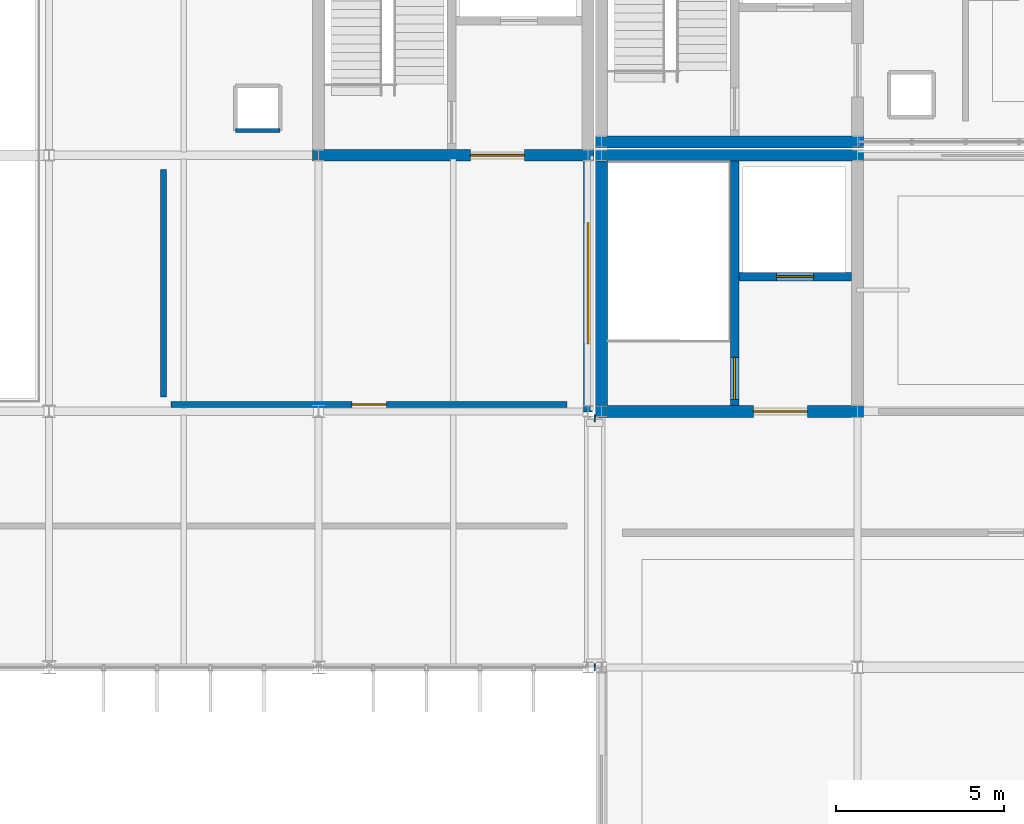
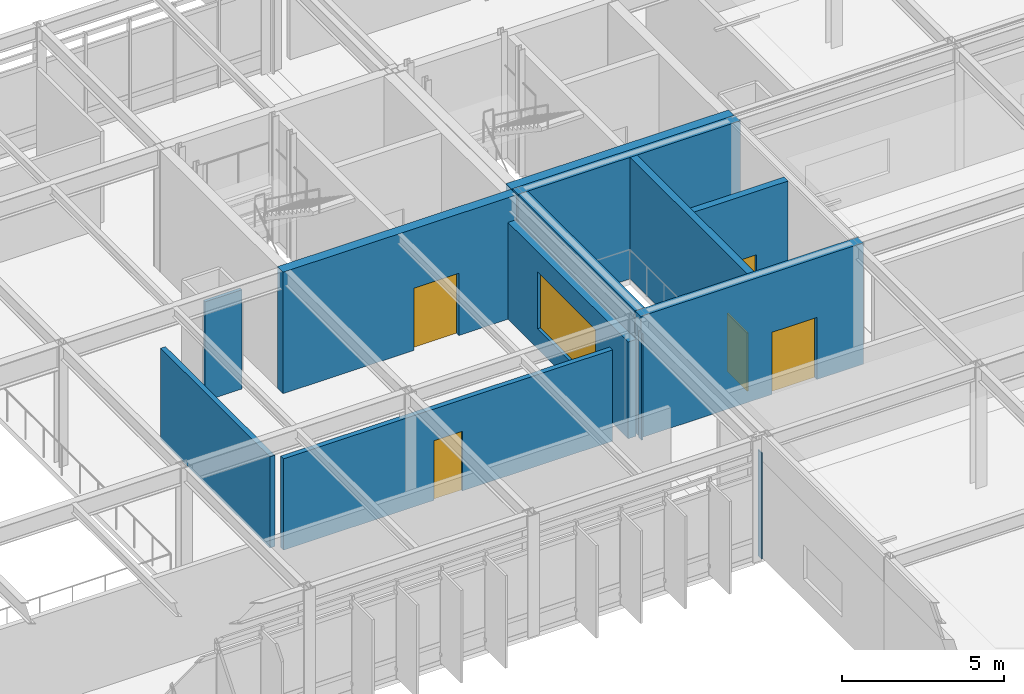
# One storey, part 84 of 104: 13 walls, 5 doors, 1 window, 6 openings.
"""IFC4 building model written with IfcOpenShell, lengths in metres."""

from ifc_helpers import new_model, si_unit, direction, frame, frame_2d, origin, place, context, subcontext, project, spatial, rectangle, extrude, material, layer, layer_set, type_object, element, fill, save


model = new_model("IFC4")

# Units and contexts
model_context = context("Model", 3, precision=1e-05, world=origin(), true_north=direction((0.0, 1.0)))
body_context = subcontext(model_context, "Body", "Model", "MODEL_VIEW")
ifc_project = project(units=[si_unit("LENGTHUNIT", "METRE"), si_unit("AREAUNIT", "SQUARE_METRE"), si_unit("VOLUMEUNIT", "CUBIC_METRE"), si_unit("PLANEANGLEUNIT", "RADIAN"), si_unit("MASSUNIT", "GRAM", prefix="KILO")], contexts=[model_context])

# Site, building, storey
site_placement = place(None, origin())
site = spatial("IfcSite", under=ifc_project, at=site_placement, CompositionType="ELEMENT")
building_placement = place(site_placement, origin())
building = spatial("IfcBuilding", under=site, at=building_placement, Name="Zulena Civic Courthouse", CompositionType="ELEMENT")
storey_placement = place(building_placement, frame((0.0, 0.0, 15.60009765625)))
storey = spatial("IfcBuildingStorey", under=building, at=storey_placement, Name="L03", CompositionType="ELEMENT", Elevation=15.60009765625)

# Walls
ifc_material_1 = material(Name="Travertine-cream architectural precast concrete C40/50", Category="masonry")
ifc_layer_1 = layer(ifc_material_1, 0.205078125)
ifc_layer_set_1 = layer_set([ifc_layer_1], Name="Travertine-cream architectural precast concrete C40/50")
wall_type_1 = type_object("IfcWallType", Name="BridgeWall_GlazedScreen_205", PredefinedType="STANDARD", material=ifc_layer_set_1)
for number, where, z_axis, x_axis, name in (
    (1, (124.219970703125, 15.199951171875, 0.0), (0.0, 0.0, 1.0), (-1.0, 0.0, 0.0), "ewall:bridge:BR-41:L03:S"),
    (2, (124.179931640625, 22.60009765625, 0.0), (0.0, 0.0, 1.0), (1.0, 0.0, 0.0), "ewall:bridge:BR-41:L03:N"),
):
    element("IfcWall", number, at=place(storey_placement, frame(where, z_axis=z_axis, x_axis=x_axis)), inside=storey, type_object=wall_type_1, Name=name, PredefinedType="STANDARD", context=body_context, shape_type="SweptSolid", body=[
        extrude(rectangle(XDim=0.0400390625, YDim=0.205078125, at=frame_2d((0.02001953125, 0.0))), origin(), (0.0, 0.0, 1.0), 4.02001953125),
    ])

# Wall, opening, door
ifc_material_2 = material(Name="Concrete C40/50", Category="concrete")
ifc_layer_2 = layer(ifc_material_2, 0.25)
ifc_layer_set_2 = layer_set([ifc_layer_2], Name="Concrete C40/50")
wall_type_2 = type_object("IfcWallType", Name="CoreShearWall_RC250", PredefinedType="SHEAR", material=ifc_layer_set_2)
wall_1_placement = place(storey_placement, frame((128.35009765625, 22.97509765625, 0.0), z_axis=(0.0, 0.0, 1.0), x_axis=(0.0, 1.0, 0.0)))
wall_1 = element("IfcWall", 3, at=wall_1_placement, inside=storey, type_object=wall_type_2, Name="cwall:K1A:L03:DIV", PredefinedType="SHEAR", context=body_context, shape_type="SweptSolid", body=[
    extrude(rectangle(XDim=7.25, YDim=0.25, at=frame_2d((3.625, 0.0))), origin(), (0.0, 0.0, 1.0), 4.58984375),
])
opening_1_placement = place(wall_1_placement, frame((0.179931640625, 0.0, 0.0)))
opening_1 = element("IfcOpeningElement", 4, at=opening_1_placement, cuts=wall_1, Name="Opening ID06", PredefinedType="OPENING", context=body_context, shape_type="SweptSolid", body=[
    extrude(rectangle(XDim=1.25, YDim=2.199951171875, at=frame_2d((0.625, 1.10009765625))), frame((0.0, 0.135009765625, 0.0), z_axis=(0.0, -1.0, 0.0), x_axis=(1.0, 0.0, 0.0)), (0.0, 0.0, 1.0), 0.27001953125),
])
ifc_material_3 = material(Name="Fire-rated galvanised steel ASTM A653 Grade 50", Category="steel")
door_type_1 = type_object("IfcDoorType", Name="IntDoor_Stair_1250x2200", OperationType="NOTDEFINED", PredefinedType="DOOR", material=ifc_material_3)
door_1_placement = place(opening_1_placement, origin())
door_1 = element("IfcDoor", 5, at=door_1_placement, inside=storey, type_object=door_type_1, Name="door:stair:K1A:L03", OperationType="SINGLE_SWING_RIGHT", OverallHeight=2.199951171875, OverallWidth=1.25, PredefinedType="DOOR", context=body_context, shape_type="SweptSolid", body=[
    extrude(rectangle(XDim=1.25, YDim=2.199951171875, at=frame_2d((0.625, 1.10009765625))), frame((0.0, 0.02490234375, 0.0), z_axis=(0.0, -1.0, 0.0), x_axis=(1.0, 0.0, 0.0)), (0.0, 0.0, 1.0), 0.050048828125),
])
fill(opening_1, door_1)

wall_2_placement = place(storey_placement, frame((128.47509765625, 26.800048828125, 0.0), z_axis=(0.0, 0.0, 1.0), x_axis=(1.0, 0.0, 0.0)))
wall_2 = element("IfcWall", 6, at=wall_2_placement, inside=storey, type_object=wall_type_2, Name="cwall:K1A:L03:SHF", PredefinedType="SHEAR", context=body_context, shape_type="SweptSolid", body=[
    extrude(rectangle(XDim=3.349853515625, YDim=0.25, at=frame_2d((1.6748046875, 0.0))), origin(), (0.0, 0.0, 1.0), 4.58984375),
])
opening_2_placement = place(wall_2_placement, frame((1.1201171875, 0.0, 0.0)))
opening_2 = element("IfcOpeningElement", 7, at=opening_2_placement, cuts=wall_2, Name="Opening LD02", PredefinedType="OPENING", context=body_context, shape_type="SweptSolid", body=[
    extrude(rectangle(XDim=1.10009765625, YDim=2.199951171875, at=frame_2d((0.550048828125, 1.10009765625))), frame((0.0, 0.135009765625, 0.0), z_axis=(0.0, -1.0, 0.0), x_axis=(1.0, 0.0, 0.0)), (0.0, 0.0, 1.0), 0.27001953125),
])
door_type_2 = type_object("IfcDoorType", Name="LiftLandingDoor_Pass_1100x2200", OperationType="SLIDING_TO_LEFT", PredefinedType="DOOR", material=ifc_material_3)
door_2_placement = place(opening_2_placement, origin())
door_2 = element("IfcDoor", 8, at=door_2_placement, inside=storey, type_object=door_type_2, Name="door:ld:PL-01:L03", OperationType="SLIDING_TO_LEFT", OverallHeight=2.199951171875, OverallWidth=1.10009765625, PredefinedType="DOOR", context=body_context, shape_type="SweptSolid", body=[
    extrude(rectangle(XDim=1.10009765625, YDim=2.199951171875, at=frame_2d((0.550048828125, 1.10009765625))), frame((0.0, 0.02490234375, 0.0), z_axis=(0.0, -1.0, 0.0), x_axis=(1.0, 0.0, 0.0)), (0.0, 0.0, 1.0), 0.050048828125),
])
fill(opening_2, door_2)

ifc_layer_3 = layer(ifc_material_2, 0.35009765625)
ifc_layer_set_3 = layer_set([ifc_layer_3], Name="Concrete C40/50")
wall_type_3 = type_object("IfcWallType", Name="CoreShearWall_RC350", PredefinedType="SHEAR", material=ifc_layer_set_3)
wall_3_placement = place(storey_placement, frame((124.22509765625, 22.800048828125, 0.0), z_axis=(0.0, 0.0, 1.0), x_axis=(1.0, 0.0, 0.0)))
wall_3 = element("IfcWall", 9, at=wall_3_placement, inside=storey, type_object=wall_type_3, Name="cwall:K1A:L03:S", PredefinedType="SHEAR", context=body_context, shape_type="SweptSolid", body=[
    extrude(rectangle(XDim=7.949951171875, YDim=0.35009765625, at=frame_2d((3.97509765625, 0.0))), origin(), (0.0, 0.0, 1.0), 4.58984375),
])
opening_3_placement = place(wall_3_placement, frame((4.68505859375, 0.0, 0.0)))
opening_3 = element("IfcOpeningElement", 10, at=opening_3_placement, cuts=wall_3, Name="Opening ID04", PredefinedType="OPENING", context=body_context, shape_type="SweptSolid", body=[
    extrude(rectangle(XDim=1.60009765625, YDim=2.35009765625, at=frame_2d((0.800048828125, 1.175048828125))), frame((0.0, 0.18505859375, 0.0), z_axis=(0.0, -1.0, 0.0), x_axis=(1.0, 0.0, 0.0)), (0.0, 0.0, 1.0), 0.3701171875),
])
ifc_material_4 = material(Name="Solid-core acoustic hardwood timber", Category="wood")
door_type_3 = type_object("IfcDoorType", Name="IntDoor_CourtPublic_1600x2350", OperationType="DOUBLE_DOOR_SINGLE_SWING", PredefinedType="DOOR", material=ifc_material_4)
door_3_placement = place(opening_3_placement, origin())
door_3 = element("IfcDoor", 11, at=door_3_placement, inside=storey, type_object=door_type_3, Name="door:corelob:K1A:L03", OperationType="DOUBLE_DOOR_SINGLE_SWING", OverallHeight=2.35009765625, OverallWidth=1.60009765625, PredefinedType="DOOR", context=body_context, shape_type="SweptSolid", body=[
    extrude(rectangle(XDim=1.60009765625, YDim=2.35009765625, at=frame_2d((0.800048828125, 1.175048828125))), frame((0.0, 0.02490234375, 0.0), z_axis=(0.0, -1.0, 0.0), x_axis=(1.0, 0.0, 0.0)), (0.0, 0.0, 1.0), 0.050048828125),
])
fill(opening_3, door_3)

# Walls
wall_4_placement = place(storey_placement, frame((124.22509765625, 30.39990234375, 0.0), z_axis=(0.0, 0.0, 1.0), x_axis=(1.0, 0.0, 0.0)))
element("IfcWall", 12, at=wall_4_placement, inside=storey, type_object=wall_type_3, Name="cwall:K1A:L03:N", PredefinedType="SHEAR", context=body_context, shape_type="SweptSolid", body=[
    extrude(rectangle(XDim=7.949951171875, YDim=0.35009765625, at=frame_2d((3.97509765625, 0.0))), origin(), (0.0, 0.0, 1.0), 4.58984375),
])
wall_5_placement = place(storey_placement, frame((124.39990234375, 22.97509765625, 0.0), z_axis=(0.0, 0.0, 1.0), x_axis=(0.0, 1.0, 0.0)))
element("IfcWall", 13, at=wall_5_placement, inside=storey, type_object=wall_type_3, Name="cwall:K1A:L03:W", PredefinedType="SHEAR", context=body_context, shape_type="SweptSolid", body=[
    extrude(rectangle(XDim=7.25, YDim=0.35009765625, at=frame_2d((3.625, 0.0))), origin(), (0.0, 0.0, 1.0), 4.58984375),
])
wall_6_placement = place(storey_placement, frame((124.22509765625, 30.800048828125, 0.0), z_axis=(0.0, 0.0, 1.0), x_axis=(1.0, 0.0, 0.0)))
element("IfcWall", 14, at=wall_6_placement, inside=storey, type_object=wall_type_3, Name="cwall:K3A:L03:S", PredefinedType="SHEAR", context=body_context, shape_type="SweptSolid", body=[
    extrude(rectangle(XDim=7.949951171875, YDim=0.35009765625, at=frame_2d((3.97509765625, 0.0))), origin(), (0.0, 0.0, 1.0), 4.544921875),
])

# Wall, opening, door
wall_7_placement = place(storey_placement, frame((115.824951171875, 30.39990234375, 0.0), z_axis=(0.0, 0.0, 1.0), x_axis=(1.0, 0.0, 0.0)))
wall_7 = element("IfcWall", 15, at=wall_7_placement, inside=storey, type_object=wall_type_3, Name="cwall:K4B:L03:S", PredefinedType="SHEAR", context=body_context, shape_type="SweptSolid", body=[
    extrude(rectangle(XDim=8.35009765625, YDim=0.35009765625, at=frame_2d((4.175048828125, 0.0))), origin(), (0.0, 0.0, 1.0), 4.58984375),
])
opening_4_placement = place(wall_7_placement, frame((4.68505859375, 0.0, 0.0)))
opening_4 = element("IfcOpeningElement", 16, at=opening_4_placement, cuts=wall_7, Name="Opening ID04", PredefinedType="OPENING", context=body_context, shape_type="SweptSolid", body=[
    extrude(rectangle(XDim=1.60009765625, YDim=2.35009765625, at=frame_2d((0.800048828125, 1.175048828125))), frame((0.0, 0.18505859375, 0.0), z_axis=(0.0, -1.0, 0.0), x_axis=(1.0, 0.0, 0.0)), (0.0, 0.0, 1.0), 0.3701171875),
])
door_4_placement = place(opening_4_placement, origin())
door_4 = element("IfcDoor", 17, at=door_4_placement, inside=storey, type_object=door_type_3, Name="door:corelob:K4B:L03", OperationType="DOUBLE_DOOR_SINGLE_SWING", OverallHeight=2.35009765625, OverallWidth=1.60009765625, PredefinedType="DOOR", context=body_context, shape_type="SweptSolid", body=[
    extrude(rectangle(XDim=1.60009765625, YDim=2.35009765625, at=frame_2d((0.800048828125, 1.175048828125))), frame((0.0, 0.02490234375, 0.0), z_axis=(0.0, -1.0, 0.0), x_axis=(1.0, 0.0, 0.0)), (0.0, 0.0, 1.0), 0.050048828125),
])
fill(opening_4, door_4)

# Wall, opening, window
ifc_layer_4 = layer(ifc_material_1, 0.280029296875)
ifc_layer_set_4 = layer_set([ifc_layer_4], Name="Travertine-cream architectural precast concrete C40/50")
wall_type_4 = type_object("IfcWallType", Name="ExtWall_TravPrecast_280", PredefinedType="STANDARD", material=ifc_layer_set_4)
wall_8_placement = place(storey_placement, frame((124.0, 30.419921875, 0.0), z_axis=(0.0, 0.0, 1.0), x_axis=(0.0, -1.0, 0.0)))
wall_8 = element("IfcWall", 18, at=wall_8_placement, inside=storey, type_object=wall_type_4, Name="ewall:V4:L03:2:2", PredefinedType="STANDARD", context=body_context, shape_type="SweptSolid", body=[
    extrude(rectangle(XDim=7.639892578125, YDim=0.280029296875, at=frame_2d((3.81982421875, 0.0))), origin(), (0.0, 0.0, 1.0), 3.659912109375),
])
opening_5_placement = place(wall_8_placement, frame((2.02001953125, 0.0, 0.75)))
opening_5 = element("IfcOpeningElement", 19, at=opening_5_placement, cuts=wall_8, Name="Opening WN15", PredefinedType="OPENING", context=body_context, shape_type="SweptSolid", body=[
    extrude(rectangle(XDim=3.60009765625, YDim=2.14990234375, at=frame_2d((1.800048828125, 1.074951171875))), frame((0.0, 0.14990234375, 0.0), z_axis=(0.0, -1.0, 0.0), x_axis=(1.0, 0.0, 0.0)), (0.0, 0.0, 1.0), 0.300048828125),
])
ifc_material_5 = material(Name="Double-silver low-E laminated solar-control glass", Category="glass")
window_type = type_object("IfcWindowType", Name="Win_3600x2150", PartitioningType="DOUBLE_PANEL_VERTICAL", PredefinedType="WINDOW", material=ifc_material_5)
window_placement = place(opening_5_placement, origin())
window = element("IfcWindow", 20, at=window_placement, inside=storey, type_object=window_type, Name="win:V4:L03:2:2", OverallHeight=2.14990234375, OverallWidth=3.60009765625, PartitioningType="SINGLE_PANEL", PredefinedType="WINDOW", context=body_context, shape_type="SweptSolid", body=[
    extrude(rectangle(XDim=3.60009765625, YDim=2.14990234375, at=frame_2d((1.800048828125, 1.074951171875))), frame((0.0, 0.030029296875, 0.0), z_axis=(0.0, -1.0, 0.0), x_axis=(1.0, 0.0, 0.0)), (0.0, 0.0, 1.0), 0.06005859375),
])
fill(opening_5, window)

# Wall, opening, door
ifc_material_6 = material(Name="Acoustic fire-rated gypsum board assembly", Category="masonry")
ifc_layer_5 = layer(ifc_material_6, 0.177978515625)
ifc_layer_set_5 = layer_set([ifc_layer_5], Name="Acoustic fire-rated gypsum board assembly")
wall_type_5 = type_object("IfcWallType", Name="PartWall_Corridor_178", PredefinedType="PARTITIONING", material=ifc_layer_set_5)
wall_9_placement = place(storey_placement, frame((111.6201171875, 23.0, 0.0), z_axis=(0.0, 0.0, 1.0), x_axis=(1.0, 0.0, 0.0)))
wall_9 = element("IfcWall", 21, at=wall_9_placement, inside=storey, type_object=wall_type_5, Name="pwall:L03:251:0", PredefinedType="PARTITIONING", context=body_context, shape_type="SweptSolid", body=[
    extrude(rectangle(XDim=11.759765625, YDim=0.177978515625, at=frame_2d((5.8798828125, 0.0))), origin(), (0.0, 0.0, 1.0), 3.449951171875),
])
opening_6_placement = place(wall_9_placement, frame((5.3701171875, 0.0, 0.0)))
opening_6 = element("IfcOpeningElement", 22, at=opening_6_placement, cuts=wall_9, Name="Opening ID12", PredefinedType="OPENING", context=body_context, shape_type="SweptSolid", body=[
    extrude(rectangle(XDim=1.02001953125, YDim=2.25, at=frame_2d((0.510009765625, 1.125))), frame((0.0, 0.098876953125, 0.0), z_axis=(0.0, -1.0, 0.0), x_axis=(1.0, 0.0, 0.0)), (0.0, 0.0, 1.0), 0.197998046875),
])
door_type_4 = type_object("IfcDoorType", Name="IntDoor_Jury_1020x2250", OperationType="NOTDEFINED", PredefinedType="DOOR", material=ifc_material_4)
door_5_placement = place(opening_6_placement, origin())
door_5 = element("IfcDoor", 23, at=door_5_placement, inside=storey, type_object=door_type_4, Name="door:rm:L03:251", OperationType="SINGLE_SWING_RIGHT", OverallHeight=2.25, OverallWidth=1.02001953125, PredefinedType="DOOR", context=body_context, shape_type="SweptSolid", body=[
    extrude(rectangle(XDim=1.02001953125, YDim=2.25, at=frame_2d((0.510009765625, 1.125))), frame((0.0, 0.02490234375, 0.0), z_axis=(0.0, -1.0, 0.0), x_axis=(1.0, 0.0, 0.0)), (0.0, 0.0, 1.0), 0.050048828125),
])
fill(opening_6, door_5)

# Walls
wall_10_placement = place(storey_placement, frame((111.39990234375, 23.219970703125, 0.0), z_axis=(0.0, 0.0, 1.0), x_axis=(0.0, 1.0, 0.0)))
element("IfcWall", 24, at=wall_10_placement, inside=storey, type_object=wall_type_5, Name="pwall:L03:251:1", PredefinedType="PARTITIONING", context=body_context, shape_type="SweptSolid", body=[
    extrude(rectangle(XDim=6.760009765625, YDim=0.177978515625, at=frame_2d((3.3798828125, 0.0))), origin(), (0.0, 0.0, 1.0), 3.449951171875),
])
ifc_material_7 = material(Name="Insulated blockwork masonry ASTM C90", Category="masonry")
ifc_layer_6 = layer(ifc_material_7, 0.114990234375)
ifc_layer_set_6 = layer_set([ifc_layer_6], Name="Insulated blockwork masonry ASTM C90")
wall_type_6 = type_object("IfcWallType", Name="PartWall_Riser_115", PredefinedType="PARTITIONING", material=ifc_layer_set_6)
wall_11_placement = place(storey_placement, frame((113.5400390625, 31.139892578125, 0.0), z_axis=(0.0, 0.0, 1.0), x_axis=(1.0, 0.0, 0.0)))
element("IfcWall", 25, at=wall_11_placement, inside=storey, type_object=wall_type_6, Name="riser:RS-V4E:L03:0", PredefinedType="PARTITIONING", context=body_context, shape_type="SweptSolid", body=[
    extrude(rectangle(XDim=1.320068359375, YDim=0.114990234375, at=frame_2d((0.66015625, 0.0))), origin(), (0.0, 0.0, 1.0), 3.75),
])

save(model, "model.ifc")
